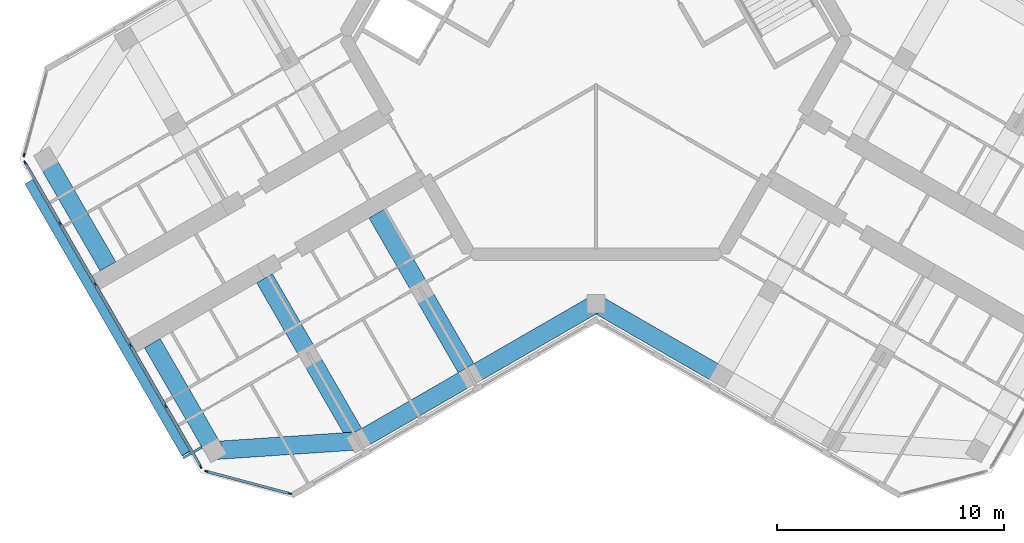
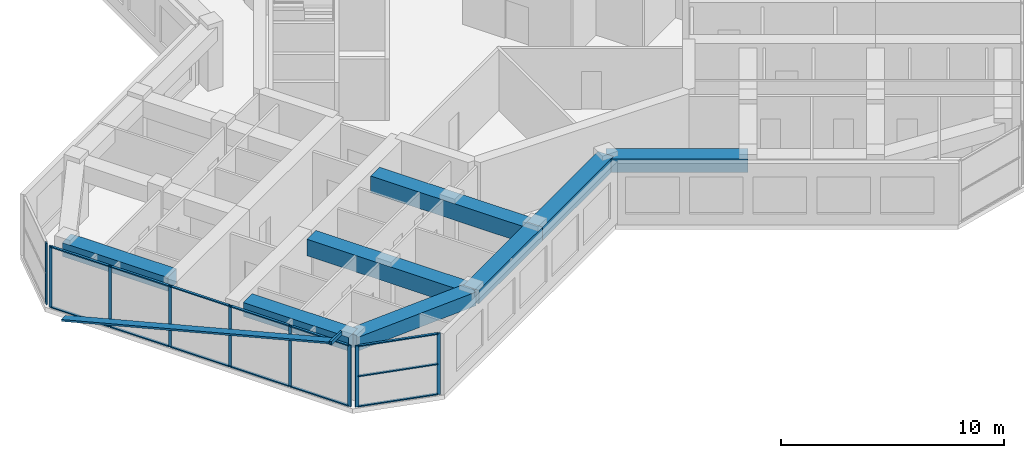
# One storey, part 2 of 14: 24 members, 8 beams, 3 elements without a shape of their own.
"""IFC4 building model written with IfcOpenShell, lengths in metres."""

from ifc_helpers import new_model, si_unit, direction, frame, origin, origin_2d, place, context, subcontext, project, spatial, rectangle, hollow_rectangle, extrude, material, material_profile, profile_set, type_object, element, aggregate, save


model = new_model("IFC4")

# Units and contexts
model_context = context("Model", 3, precision=1e-05, world=origin(), true_north=direction((0.0, 1.0)))
body_context = subcontext(model_context, "Body", "Model", "MODEL_VIEW")
ifc_project = project(units=[si_unit("LENGTHUNIT", "METRE"), si_unit("AREAUNIT", "SQUARE_METRE"), si_unit("VOLUMEUNIT", "CUBIC_METRE"), si_unit("PLANEANGLEUNIT", "RADIAN"), si_unit("MASSUNIT", "GRAM", prefix="KILO")], contexts=[model_context])

# Site, building, storey
site_placement = place(None, origin())
site = spatial("IfcSite", under=ifc_project, at=site_placement, CompositionType="ELEMENT")
building_placement = place(site_placement, origin())
building = spatial("IfcBuilding", under=site, at=building_placement, Name="Kosmar Iwan School Tower", CompositionType="ELEMENT")
storey_placement = place(building_placement, frame((0.0, 0.0, 271.0)))
storey = spatial("IfcBuildingStorey", under=building, at=storey_placement, Name="L68", CompositionType="ELEMENT", Elevation=271.0)

# Members
ifc_material_1 = material(Name="Black anodised aluminium", Category="aluminium")
ifc_material_profile_1 = material_profile(ifc_material_1, rectangle(XDim=0.10009765625, YDim=0.39990234375, at=origin_2d()), Name="FIN 100x400")
ifc_profile_set_1 = profile_set([ifc_material_profile_1], Name="Black anodised aluminium")
member_type_1 = type_object("IfcMemberType", Name="Diagonal fin 100x400", PredefinedType="USERDEFINED", material=ifc_profile_set_1)
member_1_placement = place(storey_placement, frame((-24.926513671875, -6.426025390625, -0.14990234375), z_axis=(0.483802480126, -0.837968840024, 0.252474520243), x_axis=(-0.126237445008, 0.218649241594, 0.967603543104)))
element("IfcMember", 1, at=member_1_placement, inside=storey, type_object=member_type_1, Name="Diagonal fin L68-F13", ObjectType="FIN", PredefinedType="USERDEFINED", context=body_context, shape_type="SweptSolid", body=[
    extrude(rectangle(XDim=0.10009765625, YDim=0.39990234375, at=origin_2d()), origin(), (0.0, 0.0, 1.0), 14.25830078125),
])
ifc_material_2 = material(Name="Steel S355", Category="steel")
ifc_material_profile_2 = material_profile(ifc_material_2, hollow_rectangle(XDim=0.10009765625, YDim=0.199951171875, WallThickness=0.008056640625, at=origin_2d()), Name="RHS 200x100x8")
ifc_profile_set_2 = profile_set([ifc_material_profile_2], Name="Steel S355")
member_type_2 = type_object("IfcMemberType", Name="Fin bracket RHS 200x100", PredefinedType="USERDEFINED", material=ifc_profile_set_2)
member_2_placement = place(storey_placement, frame((-17.327880859375, -18.087158203125, 3.47509765625), z_axis=(-0.865988727248, -0.500063520245, 0.0), x_axis=(0.500063520245, -0.865988727248, 0.0)))
element("IfcMember", 2, at=member_2_placement, inside=storey, type_object=member_type_2, Name="Fin bracket L69", ObjectType="FIN BRACKET", PredefinedType="USERDEFINED", context=body_context, shape_type="SweptSolid", body=[
    extrude(hollow_rectangle(XDim=0.10009765625, YDim=0.199951171875, WallThickness=0.008056640625, at=origin_2d()), origin(), (0.0, 0.0, 1.0), 0.9501953125),
])

# Curtain wall, member
ifc_material_3 = material(Name="Dark glass in black aluminium frame", Category="aluminium")
curtain_wall_type_1 = type_object("IfcCurtainWallType", Name="Chamfer curtain wall dark glass", PredefinedType="USERDEFINED", material=ifc_material_3)
curtain_wall_1_placement = place(storey_placement, origin())
curtain_wall_1 = element("IfcCurtainWall", 3, at=curtain_wall_1_placement, inside=storey, type_object=curtain_wall_type_1, Name="Curtain wall L68-F12", ObjectType="FACETED CURTAIN WALL", PredefinedType="USERDEFINED")
ifc_material_4 = material(Name="Black anodised aluminium", Category="aluminium")
ifc_material_profile_3 = material_profile(ifc_material_4, rectangle(XDim=0.06005859375, YDim=0.159912109375, at=origin_2d()), Name="MULLION 60x160")
ifc_profile_set_3 = profile_set([ifc_material_profile_3], Name="Black anodised aluminium")
member_type_3 = type_object("IfcMemberType", Name="Mullion 60x160", PredefinedType="MULLION", material=ifc_profile_set_3)
member_3_placement = place(storey_placement, frame((-25.141845703125, -5.24853515625, 0.0), z_axis=(0.0, 0.0, 1.0), x_axis=(0.965925875495, -0.258818861462, 0.0)))
member_3 = element("IfcMember", 4, at=member_3_placement, type_object=member_type_3, Name="CW2 mullion 2", PredefinedType="MULLION", context=body_context, shape_type="SweptSolid", body=[
    extrude(rectangle(XDim=0.06005859375, YDim=0.159912109375, at=origin_2d()), origin(), (0.0, 0.0, 1.0), 3.35009765625),
])
aggregate(curtain_wall_1, [member_3])

# Curtain wall, members
ifc_material_5 = material(Name="Dark glass in black aluminium frame", Category="aluminium")
curtain_wall_type_2 = type_object("IfcCurtainWallType", Name="Tower curtain wall dark glass", PredefinedType="USERDEFINED", material=ifc_material_5)
curtain_wall_2_placement = place(storey_placement, origin())
curtain_wall_2 = element("IfcCurtainWall", 5, at=curtain_wall_2_placement, inside=storey, type_object=curtain_wall_type_2, Name="Curtain wall L68-F13", ObjectType="UNITISED CURTAIN WALL", PredefinedType="USERDEFINED")
member_4_placement = place(storey_placement, frame((-25.098388671875, -5.578369140625, 0.0), z_axis=(0.0, 0.0, 1.0), x_axis=(0.866025405329, 0.499999997325, 0.0)))
member_4 = element("IfcMember", 6, at=member_4_placement, type_object=member_type_3, Name="CW1 mullion 1", PredefinedType="MULLION", context=body_context, shape_type="SweptSolid", body=[
    extrude(rectangle(XDim=0.06005859375, YDim=0.159912109375, at=origin_2d()), origin(), (0.0, 0.0, 1.0), 3.35009765625),
])
member_5_placement = place(storey_placement, frame((-23.563720703125, -8.236328125, 0.0), z_axis=(0.0, 0.0, 1.0), x_axis=(0.866025405329, 0.499999997325, 0.0)))
member_5 = element("IfcMember", 7, at=member_5_placement, type_object=member_type_3, Name="CW1 mullion 2", PredefinedType="MULLION", context=body_context, shape_type="SweptSolid", body=[
    extrude(rectangle(XDim=0.06005859375, YDim=0.159912109375, at=origin_2d()), origin(), (0.0, 0.0, 1.0), 3.35009765625),
])
member_6_placement = place(storey_placement, frame((-22.01416015625, -10.92041015625, 0.0), z_axis=(0.0, 0.0, 1.0), x_axis=(0.866025405329, 0.499999997325, 0.0)))
member_6 = element("IfcMember", 8, at=member_6_placement, type_object=member_type_3, Name="CW1 mullion 3", PredefinedType="MULLION", context=body_context, shape_type="SweptSolid", body=[
    extrude(rectangle(XDim=0.06005859375, YDim=0.159912109375, at=origin_2d()), origin(), (0.0, 0.0, 1.0), 3.35009765625),
])
member_7_placement = place(storey_placement, frame((-20.46435546875, -13.6044921875, 0.0), z_axis=(0.0, 0.0, 1.0), x_axis=(0.866025405329, 0.499999997325, 0.0)))
member_7 = element("IfcMember", 9, at=member_7_placement, type_object=member_type_3, Name="CW1 mullion 4", PredefinedType="MULLION", context=body_context, shape_type="SweptSolid", body=[
    extrude(rectangle(XDim=0.06005859375, YDim=0.159912109375, at=origin_2d()), origin(), (0.0, 0.0, 1.0), 3.35009765625),
])
member_8_placement = place(storey_placement, frame((-18.914794921875, -16.28857421875, 0.0), z_axis=(0.0, 0.0, 1.0), x_axis=(0.866025405329, 0.499999997325, 0.0)))
member_8 = element("IfcMember", 10, at=member_8_placement, type_object=member_type_3, Name="CW1 mullion 5", PredefinedType="MULLION", context=body_context, shape_type="SweptSolid", body=[
    extrude(rectangle(XDim=0.06005859375, YDim=0.159912109375, at=origin_2d()), origin(), (0.0, 0.0, 1.0), 3.35009765625),
])
member_9_placement = place(storey_placement, frame((-17.380126953125, -18.94677734375, 0.0), z_axis=(0.0, 0.0, 1.0), x_axis=(0.866025405329, 0.499999997325, 0.0)))
member_9 = element("IfcMember", 11, at=member_9_placement, type_object=member_type_3, Name="CW1 mullion 6", PredefinedType="MULLION", context=body_context, shape_type="SweptSolid", body=[
    extrude(rectangle(XDim=0.06005859375, YDim=0.159912109375, at=origin_2d()), origin(), (0.0, 0.0, 1.0), 3.35009765625),
])

curtain_wall_3_placement = place(storey_placement, origin())
curtain_wall_3 = element("IfcCurtainWall", 12, at=curtain_wall_3_placement, inside=storey, type_object=curtain_wall_type_1, Name="Curtain wall L68-F14", ObjectType="FACETED CURTAIN WALL", PredefinedType="USERDEFINED")
member_10_placement = place(storey_placement, frame((-17.1162109375, -19.149169921875, 0.0), z_axis=(0.0, 0.0, 1.0), x_axis=(0.258818861462, 0.965925875495, 0.0)))
member_10 = element("IfcMember", 13, at=member_10_placement, type_object=member_type_3, Name="CW2 mullion 1", PredefinedType="MULLION", context=body_context, shape_type="SweptSolid", body=[
    extrude(rectangle(XDim=0.06005859375, YDim=0.159912109375, at=origin_2d()), origin(), (0.0, 0.0, 1.0), 3.35009765625),
])
member_11_placement = place(storey_placement, frame((-13.466064453125, -20.127197265625, 0.0), z_axis=(0.0, 0.0, 1.0), x_axis=(0.258818861462, 0.965925875495, 0.0)))
member_11 = element("IfcMember", 14, at=member_11_placement, type_object=member_type_3, Name="CW2 mullion 2", PredefinedType="MULLION", context=body_context, shape_type="SweptSolid", body=[
    extrude(rectangle(XDim=0.06005859375, YDim=0.159912109375, at=origin_2d()), origin(), (0.0, 0.0, 1.0), 3.35009765625),
])

# Beams
ifc_material_6 = material(Name="Concrete C50/60", Category="concrete")
ifc_material_profile_4 = material_profile(ifc_material_6, rectangle(XDim=0.800048828125, YDim=0.75, at=origin_2d()), Name="RC 800x750")
ifc_profile_set_4 = profile_set([ifc_material_profile_4], Name="Concrete C50/60")
beam_type_1 = type_object("IfcBeamType", Name="RC edge beam 800x750", PredefinedType="BEAM", material=ifc_profile_set_4)
beam_1_placement = place(storey_placement, frame((0.0, -11.77783203125, 2.97509765625), z_axis=(-0.866014293216, -0.500019243575, 0.0), x_axis=(0.500019243575, -0.866014293216, 0.0)))
element("IfcBeam", 15, at=beam_1_placement, inside=storey, type_object=beam_type_1, Name="Edge beam BL1", PredefinedType="BEAM", context=body_context, shape_type="SweptSolid", body=[
    extrude(rectangle(XDim=0.800048828125, YDim=0.75, at=origin_2d()), origin(), (0.0, 0.0, 1.0), 6.361083984375),
])
beam_2_placement = place(storey_placement, frame((-5.5087890625, -14.95849609375, 2.97509765625), z_axis=(-0.866033658841, -0.49998570155, 0.0), x_axis=(0.49998570155, -0.866033658841, 0.0)))
element("IfcBeam", 16, at=beam_2_placement, inside=storey, type_object=beam_type_1, Name="Edge beam BL2", PredefinedType="BEAM", context=body_context, shape_type="SweptSolid", body=[
    extrude(rectangle(XDim=0.800048828125, YDim=0.75, at=origin_2d()), origin(), (0.0, 0.0, 1.0), 5.699951171875),
])
beam_3_placement = place(storey_placement, frame((0.0, -11.77783203125, 2.97509765625), z_axis=(0.866014293216, -0.500019243575, 0.0), x_axis=(0.500019243575, 0.866014293216, 0.0)))
element("IfcBeam", 17, at=beam_3_placement, inside=storey, type_object=beam_type_1, Name="Edge beam CR1", PredefinedType="BEAM", context=body_context, shape_type="SweptSolid", body=[
    extrude(rectangle(XDim=0.800048828125, YDim=0.75, at=origin_2d()), origin(), (0.0, 0.0, 1.0), 6.361083984375),
])
ifc_material_7 = material(Name="Concrete C50/60", Category="concrete")
ifc_material_profile_5 = material_profile(ifc_material_7, rectangle(XDim=0.800048828125, YDim=0.75, at=origin_2d()), Name="RC 800x750")
ifc_profile_set_5 = profile_set([ifc_material_profile_5], Name="Concrete C50/60")
beam_type_2 = type_object("IfcBeamType", Name="RC tip beam 800x750", PredefinedType="BEAM", material=ifc_profile_set_5)
beam_4_placement = place(storey_placement, frame((-10.445068359375, -17.808349609375, 2.97509765625), z_axis=(-0.997755118724, -0.066968074933, 0.0), x_axis=(0.066968074933, -0.997755118724, 0.0)))
element("IfcBeam", 18, at=beam_4_placement, inside=storey, type_object=beam_type_2, Name="Tip beam BL", PredefinedType="BEAM", context=body_context, shape_type="SweptSolid", body=[
    extrude(rectangle(XDim=0.800048828125, YDim=0.75, at=origin_2d()), origin(), (0.0, 0.0, 1.0), 6.3505859375),
])
beam_5_placement = place(storey_placement, frame((-16.781494140625, -18.233642578125, 2.97509765625), z_axis=(-0.500002931134, 0.866023711487, 0.0), x_axis=(-0.866023711487, -0.500002931134, 0.0)))
element("IfcBeam", 19, at=beam_5_placement, inside=storey, type_object=beam_type_2, Name="Tip beam BL to corridor wall", PredefinedType="BEAM", context=body_context, shape_type="SweptSolid", body=[
    extrude(rectangle(XDim=0.800048828125, YDim=0.75, at=origin_2d()), origin(), (0.0, 0.0, 1.0), 5.4501953125),
])
beam_6_placement = place(storey_placement, frame((-24.181396484375, -5.41650390625, 2.97509765625), z_axis=(0.499988730927, -0.866031909889, 0.0), x_axis=(0.866031909889, 0.499988730927, 0.0)))
element("IfcBeam", 20, at=beam_6_placement, inside=storey, type_object=beam_type_2, Name="Tip beam BR to corridor wall", PredefinedType="BEAM", context=body_context, shape_type="SweptSolid", body=[
    extrude(rectangle(XDim=0.800048828125, YDim=0.75, at=origin_2d()), origin(), (0.0, 0.0, 1.0), 5.449951171875),
])
ifc_material_8 = material(Name="Concrete C50/60", Category="concrete")
ifc_material_profile_6 = material_profile(ifc_material_8, rectangle(XDim=0.800048828125, YDim=0.89990234375, at=origin_2d()), Name="RC 800x900")
ifc_profile_set_6 = profile_set([ifc_material_profile_6], Name="Concrete C50/60")
beam_type_3 = type_object("IfcBeamType", Name="RC transverse beam 800x900", PredefinedType="BEAM", material=ifc_profile_set_6)
beam_7_placement = place(storey_placement, frame((-5.5087890625, -14.95849609375, 2.89990234375), z_axis=(-0.499996545922, 0.866027397988, 0.0), x_axis=(-0.866027397988, -0.499996545922, 0.0)))
element("IfcBeam", 21, at=beam_7_placement, inside=storey, type_object=beam_type_3, Name="Transverse beam BL1", PredefinedType="BEAM", context=body_context, shape_type="SweptSolid", body=[
    extrude(rectangle(XDim=0.800048828125, YDim=0.89990234375, at=origin_2d()), origin(), (0.0, 0.0, 1.0), 8.25),
])
beam_8_placement = place(storey_placement, frame((-10.445068359375, -17.808349609375, 2.89990234375), z_axis=(-0.500009360108, 0.866019999656, 0.0), x_axis=(-0.866019999656, -0.500009360108, 0.0)))
element("IfcBeam", 22, at=beam_8_placement, inside=storey, type_object=beam_type_3, Name="Transverse beam BL2", PredefinedType="BEAM", context=body_context, shape_type="SweptSolid", body=[
    extrude(rectangle(XDim=0.800048828125, YDim=0.89990234375, at=origin_2d()), origin(), (0.0, 0.0, 1.0), 8.249755859375),
])

# Member
ifc_material_9 = material(Name="Black anodised aluminium", Category="aluminium")
ifc_material_profile_7 = material_profile(ifc_material_9, rectangle(XDim=0.1201171875, YDim=0.06005859375, at=origin_2d()), Name="TRANSOM 60x120")
ifc_profile_set_7 = profile_set([ifc_material_profile_7], Name="Black anodised aluminium")
member_type_4 = type_object("IfcMemberType", Name="Transom 60x120", PredefinedType="USERDEFINED", material=ifc_profile_set_7)
member_12_placement = place(storey_placement, frame((-25.08349609375, -5.604248046875, 0.030029296875), z_axis=(0.499986971506, -0.866032925658, 0.0), x_axis=(0.866032925658, 0.499986971506, 0.0)))
member_12 = element("IfcMember", 23, at=member_12_placement, type_object=member_type_4, Name="CW1 transom 1.1", ObjectType="TRANSOM", PredefinedType="USERDEFINED", context=body_context, shape_type="SweptSolid", body=[
    extrude(rectangle(XDim=0.1201171875, YDim=0.06005859375, at=origin_2d()), origin(), (0.0, 0.0, 1.0), 3.00927734375),
])

member_13_placement = place(storey_placement, frame((-25.08349609375, -5.604248046875, 3.320068359375), z_axis=(0.499986971506, -0.866032925658, 0.0), x_axis=(0.866032925658, 0.499986971506, 0.0)))
member_13 = element("IfcMember", 24, at=member_13_placement, type_object=member_type_4, Name="CW1 transom 1.2", ObjectType="TRANSOM", PredefinedType="USERDEFINED", context=body_context, shape_type="SweptSolid", body=[
    extrude(rectangle(XDim=0.1201171875, YDim=0.06005859375, at=origin_2d()), origin(), (0.0, 0.0, 1.0), 3.00927734375),
])

member_14_placement = place(storey_placement, frame((-23.548828125, -8.262451171875, 0.030029296875), z_axis=(0.500035348339, -0.866004994449, 0.0), x_axis=(0.866004994449, 0.500035348339, 0.0)))
member_14 = element("IfcMember", 25, at=member_14_placement, type_object=member_type_4, Name="CW1 transom 2.1", ObjectType="TRANSOM", PredefinedType="USERDEFINED", context=body_context, shape_type="SweptSolid", body=[
    extrude(rectangle(XDim=0.1201171875, YDim=0.06005859375, at=origin_2d()), origin(), (0.0, 0.0, 1.0), 3.039306640625),
])

member_15_placement = place(storey_placement, frame((-23.548828125, -8.262451171875, 3.320068359375), z_axis=(0.500035348339, -0.866004994449, 0.0), x_axis=(0.866004994449, 0.500035348339, 0.0)))
member_15 = element("IfcMember", 26, at=member_15_placement, type_object=member_type_4, Name="CW1 transom 2.2", ObjectType="TRANSOM", PredefinedType="USERDEFINED", context=body_context, shape_type="SweptSolid", body=[
    extrude(rectangle(XDim=0.1201171875, YDim=0.06005859375, at=origin_2d()), origin(), (0.0, 0.0, 1.0), 3.039306640625),
])

member_16_placement = place(storey_placement, frame((-21.9990234375, -10.946533203125, 0.030029296875), z_axis=(0.499975102327, -0.866039777986, 0.0), x_axis=(0.866039777986, 0.499975102327, 0.0)))
member_16 = element("IfcMember", 27, at=member_16_placement, type_object=member_type_4, Name="CW1 transom 3.1", ObjectType="TRANSOM", PredefinedType="USERDEFINED", context=body_context, shape_type="SweptSolid", body=[
    extrude(rectangle(XDim=0.1201171875, YDim=0.06005859375, at=origin_2d()), origin(), (0.0, 0.0, 1.0), 3.039306640625),
])

member_17_placement = place(storey_placement, frame((-21.9990234375, -10.946533203125, 3.320068359375), z_axis=(0.499975102327, -0.866039777986, 0.0), x_axis=(0.866039777986, 0.499975102327, 0.0)))
member_17 = element("IfcMember", 28, at=member_17_placement, type_object=member_type_4, Name="CW1 transom 3.2", ObjectType="TRANSOM", PredefinedType="USERDEFINED", context=body_context, shape_type="SweptSolid", body=[
    extrude(rectangle(XDim=0.1201171875, YDim=0.06005859375, at=origin_2d()), origin(), (0.0, 0.0, 1.0), 3.039306640625),
])

member_18_placement = place(storey_placement, frame((-20.449462890625, -13.630615234375, 0.030029296875), z_axis=(0.500035348339, -0.866004994449, 0.0), x_axis=(0.866004994449, 0.500035348339, 0.0)))
member_18 = element("IfcMember", 29, at=member_18_placement, type_object=member_type_4, Name="CW1 transom 4.1", ObjectType="TRANSOM", PredefinedType="USERDEFINED", context=body_context, shape_type="SweptSolid", body=[
    extrude(rectangle(XDim=0.1201171875, YDim=0.06005859375, at=origin_2d()), origin(), (0.0, 0.0, 1.0), 3.039306640625),
])

member_19_placement = place(storey_placement, frame((-20.449462890625, -13.630615234375, 3.320068359375), z_axis=(0.500035348339, -0.866004994449, 0.0), x_axis=(0.866004994449, 0.500035348339, 0.0)))
member_19 = element("IfcMember", 30, at=member_19_placement, type_object=member_type_4, Name="CW1 transom 4.2", ObjectType="TRANSOM", PredefinedType="USERDEFINED", context=body_context, shape_type="SweptSolid", body=[
    extrude(rectangle(XDim=0.1201171875, YDim=0.06005859375, at=origin_2d()), origin(), (0.0, 0.0, 1.0), 3.039306640625),
])

member_20_placement = place(storey_placement, frame((-18.89990234375, -16.314697265625, 0.030029296875), z_axis=(0.500022102064, -0.866012642776, 0.0), x_axis=(0.866012642776, 0.500022102064, 0.0)))
member_20 = element("IfcMember", 31, at=member_20_placement, type_object=member_type_4, Name="CW1 transom 5.1", ObjectType="TRANSOM", PredefinedType="USERDEFINED", context=body_context, shape_type="SweptSolid", body=[
    extrude(rectangle(XDim=0.1201171875, YDim=0.06005859375, at=origin_2d()), origin(), (0.0, 0.0, 1.0), 3.009033203125),
])

member_21_placement = place(storey_placement, frame((-18.89990234375, -16.314697265625, 3.320068359375), z_axis=(0.500022102064, -0.866012642776, 0.0), x_axis=(0.866012642776, 0.500022102064, 0.0)))
member_21 = element("IfcMember", 32, at=member_21_placement, type_object=member_type_4, Name="CW1 transom 5.2", ObjectType="TRANSOM", PredefinedType="USERDEFINED", context=body_context, shape_type="SweptSolid", body=[
    extrude(rectangle(XDim=0.1201171875, YDim=0.06005859375, at=origin_2d()), origin(), (0.0, 0.0, 1.0), 3.009033203125),
])

aggregate(curtain_wall_2, [member_4, member_5, member_6, member_7, member_8, member_9, member_12, member_13, member_14, member_15, member_16, member_17, member_18, member_19, member_20, member_21])

member_22_placement = place(storey_placement, frame((-17.08740234375, -19.156982421875, 0.030029296875), z_axis=(0.965940141052, -0.258765615768, 0.0), x_axis=(0.258765615768, 0.965940141052, 0.0)))
member_22 = element("IfcMember", 33, at=member_22_placement, type_object=member_type_4, Name="CW2 transom 1.1", ObjectType="TRANSOM", PredefinedType="USERDEFINED", context=body_context, shape_type="SweptSolid", body=[
    extrude(rectangle(XDim=0.1201171875, YDim=0.06005859375, at=origin_2d()), origin(), (0.0, 0.0, 1.0), 3.71923828125),
])

member_23_placement = place(storey_placement, frame((-17.08740234375, -19.156982421875, 1.675048828125), z_axis=(0.965940141052, -0.258765615768, 0.0), x_axis=(0.258765615768, 0.965940141052, 0.0)))
member_23 = element("IfcMember", 34, at=member_23_placement, type_object=member_type_4, Name="CW2 transom 1.2", ObjectType="TRANSOM", PredefinedType="USERDEFINED", context=body_context, shape_type="SweptSolid", body=[
    extrude(rectangle(XDim=0.1201171875, YDim=0.06005859375, at=origin_2d()), origin(), (0.0, 0.0, 1.0), 3.71923828125),
])

member_24_placement = place(storey_placement, frame((-17.08740234375, -19.156982421875, 3.320068359375), z_axis=(0.965940141052, -0.258765615768, 0.0), x_axis=(0.258765615768, 0.965940141052, 0.0)))
member_24 = element("IfcMember", 35, at=member_24_placement, type_object=member_type_4, Name="CW2 transom 1.3", ObjectType="TRANSOM", PredefinedType="USERDEFINED", context=body_context, shape_type="SweptSolid", body=[
    extrude(rectangle(XDim=0.1201171875, YDim=0.06005859375, at=origin_2d()), origin(), (0.0, 0.0, 1.0), 3.71923828125),
])

aggregate(curtain_wall_3, [member_10, member_11, member_22, member_23, member_24])

save(model, "model.ifc")
